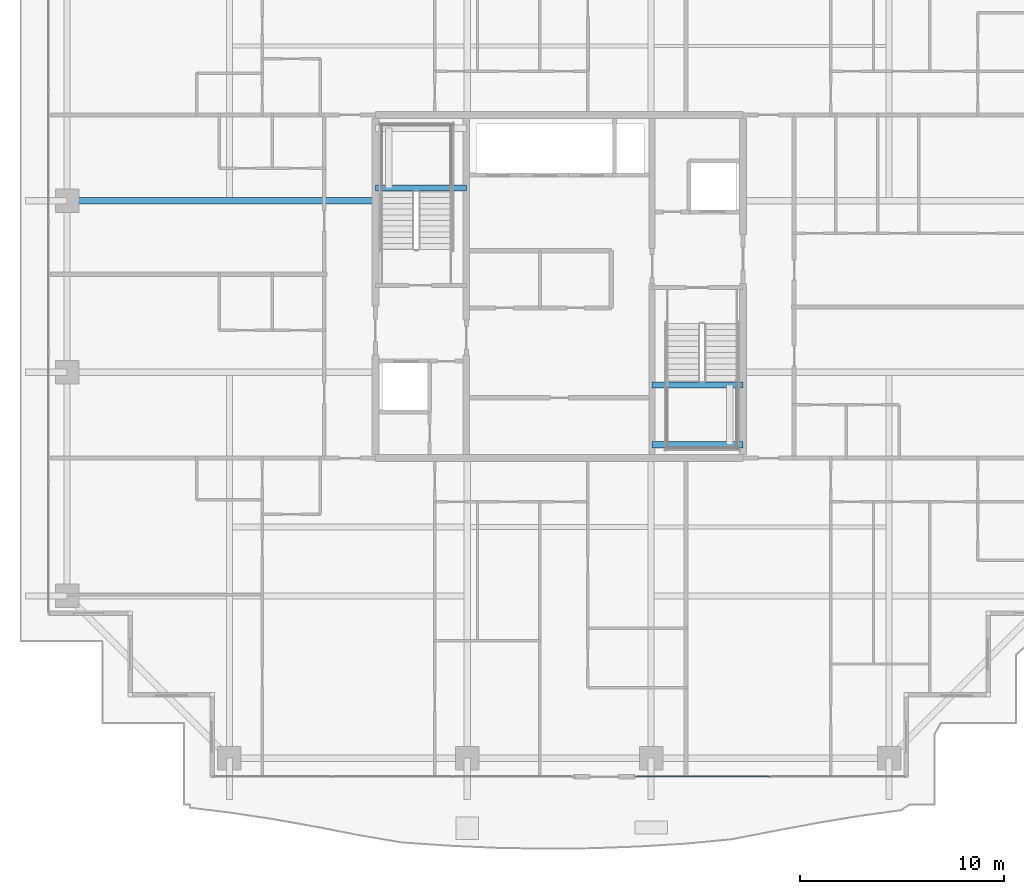
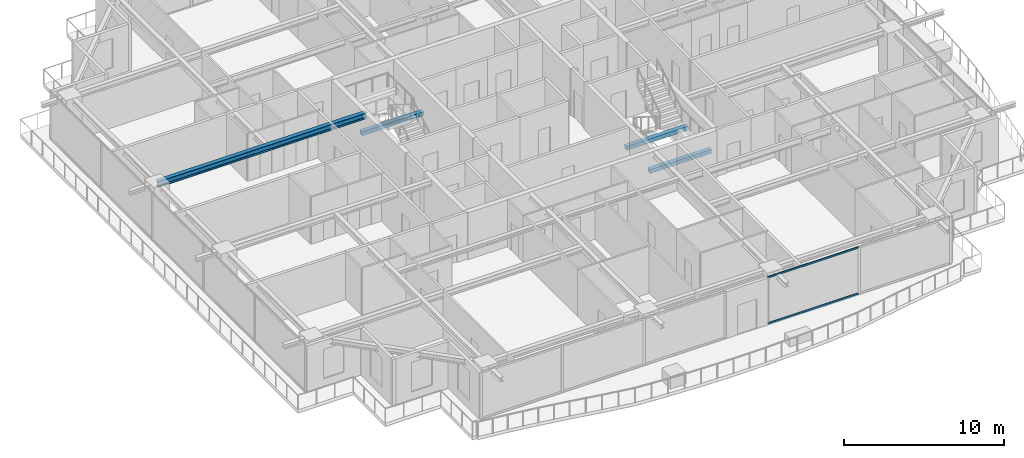
# One storey, part 10 of 38: 4 beams, 2 members, 1 element without a shape of its own.
"""IFC4 building model written with IfcOpenShell, lengths in metres."""

from ifc_helpers import new_model, si_unit, direction, frame, origin, origin_2d, place, context, subcontext, project, spatial, rectangle, hollow_rectangle, i_section, extrude, source, transform, mapped, material, layer, layer_set, material_profile, profile_set, type_object, element, aggregate, save


model = new_model("IFC4")

# Units and contexts
model_context = context("Model", 3, precision=1e-05, world=origin(), true_north=direction((0.0, 1.0)))
body_context = subcontext(model_context, "Body", "Model", "MODEL_VIEW")
ifc_project = project(units=[si_unit("LENGTHUNIT", "METRE"), si_unit("AREAUNIT", "SQUARE_METRE"), si_unit("VOLUMEUNIT", "CUBIC_METRE"), si_unit("PLANEANGLEUNIT", "RADIAN"), si_unit("MASSUNIT", "GRAM", prefix="KILO")], contexts=[model_context])

# Site, building, storey
site_placement = place(None, origin())
site = spatial("IfcSite", under=ifc_project, at=site_placement, CompositionType="ELEMENT")
building_placement = place(site_placement, origin())
building = spatial("IfcBuilding", under=site, at=building_placement, Name="Serunith Strait Residences", CompositionType="ELEMENT")
storey_placement = place(building_placement, frame((0.0, 0.0, 245.10009765625)))
storey = spatial("IfcBuildingStorey", under=building, at=storey_placement, Name="L61", CompositionType="ELEMENT", Elevation=245.10009765625)

# Beams
ifc_material_1 = material(Name="Steel S355J2", Category="steel")
ifc_material_profile_1 = material_profile(ifc_material_1, i_section(OverallWidth=0.300048828125, OverallDepth=0.449951171875, WebThickness=0.013916015625, FlangeThickness=0.02587890625, FilletRadius=0.027099609375, at=origin_2d()), Name="HEB 450")
ifc_profile_set_1 = profile_set([ifc_material_profile_1], Name="Steel S355J2")
beam_type_1 = type_object("IfcBeamType", Name="BM-HEB450", PredefinedType="BEAM", material=ifc_profile_set_1)
shared_shape_1 = source(origin(), body_context, "Body", "SweptSolid", [
    extrude(i_section(OverallWidth=0.300048828125, OverallDepth=0.449951171875, WebThickness=0.013916015625, FlangeThickness=0.02587890625, FilletRadius=0.027099609375, at=origin_2d()), origin(), (0.0, 0.0, 1.0), 15.099853515625),
])
beam_1_placement = place(storey_placement, frame((23.39990234375, 29.39990234375, 3.36181640625), z_axis=(-1.0, 0.0, 0.0), x_axis=(0.0, -1.0, 0.0)))
element("IfcBeam", 1, at=beam_1_placement, inside=storey, type_object=beam_type_1, Name="L61 Primary Floor Girder TC-W3", PredefinedType="BEAM", context=body_context, shape_type="MappedRepresentation", body=[
    mapped(shared_shape_1, transform((0.0, 0.0, 0.0), scale=1.0)),
])
ifc_material_2 = material(Name="Concrete C60/75", Category="concrete")
ifc_material_profile_2 = material_profile(ifc_material_2, rectangle(XDim=0.300048828125, YDim=0.300048828125, at=origin_2d()), Name="RC 300x300")
ifc_profile_set_2 = profile_set([ifc_material_profile_2], Name="Concrete C60/75")
beam_type_2 = type_object("IfcBeamType", Name="BM-LAND-300x300", PredefinedType="BEAM", material=ifc_profile_set_2)
shared_shape_2 = source(origin(), body_context, "Body", "SweptSolid", [
    extrude(rectangle(XDim=0.300048828125, YDim=0.300048828125, at=origin_2d()), origin(), (0.0, 0.0, 1.0), 4.4501953125),
])
beam_2_placement = place(storey_placement, frame((23.39990234375, 30.030029296875, 1.574951171875), z_axis=(1.0, 0.0, 0.0), x_axis=(0.0, 1.0, 0.0)))
element("IfcBeam", 2, at=beam_2_placement, inside=storey, type_object=beam_type_2, Name="L61 ST-1 Landing Support Beam 1", PredefinedType="BEAM", context=body_context, shape_type="MappedRepresentation", body=[
    mapped(shared_shape_2, transform((0.0, 0.0, 0.0), scale=1.0)),
])
shared_shape_3 = source(origin(), body_context, "Body", "SweptSolid", [
    extrude(rectangle(XDim=0.300048828125, YDim=0.300048828125, at=origin_2d()), origin(), (0.0, 0.0, 1.0), 4.449951171875),
])
for number, where, z_axis, x_axis, name in (
    (3, (36.949951171875, 17.449951171875, 1.574951171875), (1.0, 0.0, 0.0), (0.0, 1.0, 0.0), "L61 ST-2 Landing Support Beam 1"),
    (4, (36.949951171875, 20.3701171875, 1.574951171875), (1.0, 0.0, 0.0), (0.0, 1.0, 0.0), "L61 ST-2 Landing Support Beam 2"),
):
    element("IfcBeam", number, at=place(storey_placement, frame(where, z_axis=z_axis, x_axis=x_axis)), inside=storey, type_object=beam_type_2, Name=name, PredefinedType="BEAM", context=body_context, shape_type="MappedRepresentation", body=[
        mapped(shared_shape_3, transform((0.0, 0.0, 0.0), scale=1.0)),
    ])

# Curtain wall, members
ifc_material_3 = material(Name="Pale-Champagne Anodised Aluminium", Category="aluminium")
ifc_layer = layer(ifc_material_3, 0.199951171875, Name="Pale-Champagne Anodised Aluminium")
ifc_layer_set = layer_set([ifc_layer], Name="Pale-Champagne Anodised Aluminium")
curtain_wall_type = type_object("IfcCurtainWallType", Name="CW-SYS4", PredefinedType="NOTDEFINED", material=ifc_layer_set)
curtain_wall_placement = place(storey_placement, origin())
curtain_wall = element("IfcCurtainWall", 5, at=curtain_wall_placement, inside=storey, type_object=curtain_wall_type, Name="L61 S Unitised Fritted Curtain Wall", PredefinedType="NOTDEFINED")
ifc_material_profile_3 = material_profile(ifc_material_3, hollow_rectangle(XDim=0.06005859375, YDim=0.139892578125, WallThickness=0.00341796875, InnerFilletRadius=0.00537109375, OuterFilletRadius=0.0087890625, at=origin_2d()), Name="ALU 140x60x3.5")
ifc_profile_set_3 = profile_set([ifc_material_profile_3], Name="Pale-Champagne Anodised Aluminium")
member_type = type_object("IfcMemberType", Name="CW-SYS4-TRAN", PredefinedType="USERDEFINED", material=ifc_profile_set_3)
shared_shape_4 = source(origin(), body_context, "Body", "SweptSolid", [
    extrude(hollow_rectangle(XDim=0.06005859375, YDim=0.139892578125, WallThickness=0.00341796875, InnerFilletRadius=0.00537109375, OuterFilletRadius=0.0087890625, at=origin_2d()), origin(), (0.0, 0.0, 1.0), 6.552490234375),
])
member_1_placement = place(storey_placement, frame((36.1650390625, 1.199951171875, 0.02978515625), z_axis=(1.0, 0.0, 0.0), x_axis=(0.0, 1.0, 0.0)))
member_1 = element("IfcMember", 6, at=member_1_placement, type_object=member_type, Name="CW-4 transom 1.1", ObjectType="TRANSOM", PredefinedType="USERDEFINED", context=body_context, shape_type="MappedRepresentation", body=[
    mapped(shared_shape_4, transform((0.0, 0.0, 0.0), scale=1.0)),
])
member_2_placement = place(storey_placement, frame((36.1650390625, 1.199951171875, 3.544921875), z_axis=(1.0, 0.0, 0.0), x_axis=(0.0, 1.0, 0.0)))
member_2 = element("IfcMember", 7, at=member_2_placement, type_object=member_type, Name="CW-4 transom 1.2", ObjectType="TRANSOM", PredefinedType="USERDEFINED", context=body_context, shape_type="MappedRepresentation", body=[
    mapped(shared_shape_4, transform((0.0, 0.0, 0.0), scale=1.0)),
])
aggregate(curtain_wall, [member_1, member_2])

save(model, "model.ifc")
